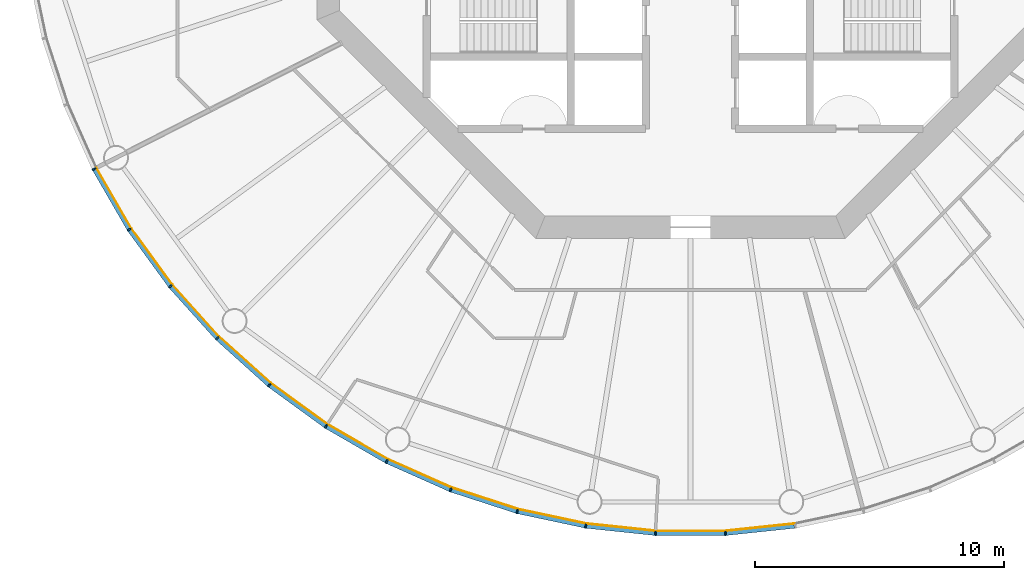
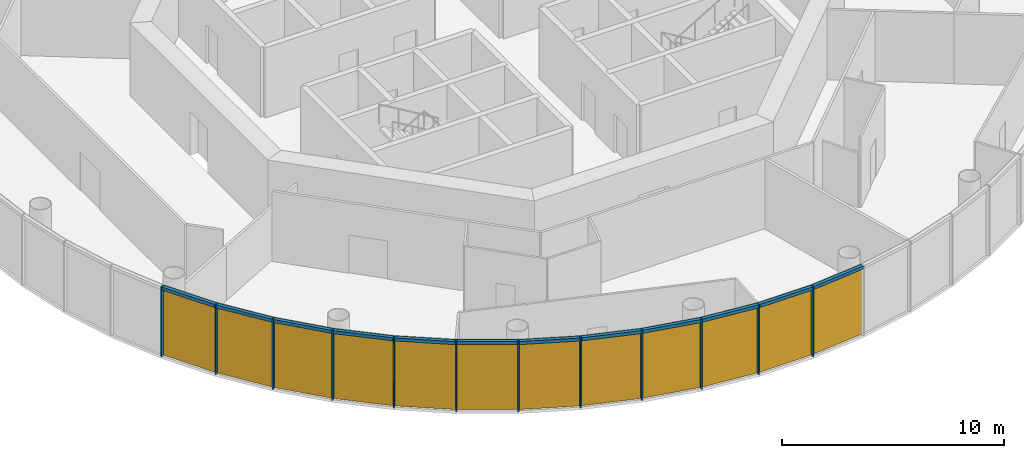
# One storey, part 6 of 12: 24 members, 4 curtain walls.
"""IFC4 building model written with IfcOpenShell, lengths in metres."""

from ifc_helpers import new_model, si_unit, direction, frame, origin, origin_2d, place, context, subcontext, project, spatial, polyline, rectangle, outline, extrude, material, layer, layer_set, material_profile, profile_set, type_object, element, aggregate, save


model = new_model("IFC4")

# Units and contexts
model_context = context("Model", 3, precision=1e-05, world=origin(), true_north=direction((0.0, 1.0)))
body_context = subcontext(model_context, "Body", "Model", "MODEL_VIEW")
ifc_project = project(units=[si_unit("LENGTHUNIT", "METRE"), si_unit("AREAUNIT", "SQUARE_METRE"), si_unit("VOLUMEUNIT", "CUBIC_METRE"), si_unit("PLANEANGLEUNIT", "RADIAN"), si_unit("MASSUNIT", "GRAM", prefix="KILO")], contexts=[model_context])

# Member
ifc_material_1 = material(Name="Anodised aluminium", Category="aluminium")
ifc_material_profile_1 = material_profile(ifc_material_1, rectangle(XDim=0.06005859375, YDim=0.169921875, at=origin_2d()), Name="Mullion 60 x 170 mm anodised aluminium")
ifc_profile_set_1 = profile_set([ifc_material_profile_1], Name="Anodised aluminium")
member_type_1 = type_object("IfcMemberType", Name="Mullion 60 x 170 mm anodised aluminium", PredefinedType="MULLION", material=ifc_profile_set_1)
site_placement = place(None, origin())
building_placement = place(site_placement, origin())
storey_placement = place(building_placement, frame((0.0, 0.0, 222.0)))
member_1_placement = place(storey_placement, frame((66.04541015625, 67.79443359375, 0.0), z_axis=(0.0, 0.0, 1.0), x_axis=(0.45399049974, -0.891006524188, 0.0)))
member_1 = element("IfcMember", 1, at=member_1_placement, type_object=member_type_1, Name="MULLION L51-33", PredefinedType="MULLION", context=body_context, shape_type="SweptSolid", body=[
    extrude(rectangle(XDim=0.06005859375, YDim=0.169921875, at=origin_2d()), origin(), (0.0, 0.0, 1.0), 3.85009765625),
])

member_2_placement = place(storey_placement, frame((67.452392578125, 65.357421875, 0.0), z_axis=(0.0, 0.0, 1.0), x_axis=(0.544639035015, -0.838670567945, 0.0)))
member_2 = element("IfcMember", 2, at=member_2_placement, type_object=member_type_1, Name="MULLION L51-34", PredefinedType="MULLION", context=body_context, shape_type="SweptSolid", body=[
    extrude(rectangle(XDim=0.06005859375, YDim=0.169921875, at=origin_2d()), origin(), (0.0, 0.0, 1.0), 3.85009765625),
])

member_3_placement = place(storey_placement, frame((69.1064453125, 63.080810546875, 0.0), z_axis=(0.0, 0.0, 1.0), x_axis=(0.62932039105, -0.777145961457, 0.0)))
member_3 = element("IfcMember", 3, at=member_3_placement, type_object=member_type_1, Name="MULLION L51-35", PredefinedType="MULLION", context=body_context, shape_type="SweptSolid", body=[
    extrude(rectangle(XDim=0.06005859375, YDim=0.169921875, at=origin_2d()), origin(), (0.0, 0.0, 1.0), 3.85009765625),
])

member_4_placement = place(storey_placement, frame((70.989501953125, 60.989501953125, 0.0), z_axis=(0.0, 0.0, 1.0), x_axis=(0.707106781187, -0.707106781187, 0.0)))
member_4 = element("IfcMember", 4, at=member_4_placement, type_object=member_type_1, Name="MULLION L51-36", PredefinedType="MULLION", context=body_context, shape_type="SweptSolid", body=[
    extrude(rectangle(XDim=0.06005859375, YDim=0.169921875, at=origin_2d()), origin(), (0.0, 0.0, 1.0), 3.85009765625),
])

member_5_placement = place(storey_placement, frame((73.080810546875, 59.1064453125, 0.0), z_axis=(0.0, 0.0, 1.0), x_axis=(0.777145961457, -0.62932039105, 0.0)))
member_5 = element("IfcMember", 5, at=member_5_placement, type_object=member_type_1, Name="MULLION L51-37", PredefinedType="MULLION", context=body_context, shape_type="SweptSolid", body=[
    extrude(rectangle(XDim=0.06005859375, YDim=0.169921875, at=origin_2d()), origin(), (0.0, 0.0, 1.0), 3.85009765625),
])

member_6_placement = place(storey_placement, frame((75.357421875, 57.452392578125, 0.0), z_axis=(0.0, 0.0, 1.0), x_axis=(0.838670567945, -0.544639035015, 0.0)))
member_6 = element("IfcMember", 6, at=member_6_placement, type_object=member_type_1, Name="MULLION L51-38", PredefinedType="MULLION", context=body_context, shape_type="SweptSolid", body=[
    extrude(rectangle(XDim=0.06005859375, YDim=0.169921875, at=origin_2d()), origin(), (0.0, 0.0, 1.0), 3.85009765625),
])

member_7_placement = place(storey_placement, frame((77.79443359375, 56.04541015625, 0.0), z_axis=(0.0, 0.0, 1.0), x_axis=(0.891006524188, -0.45399049974, 0.0)))
member_7 = element("IfcMember", 7, at=member_7_placement, type_object=member_type_1, Name="MULLION L51-39", PredefinedType="MULLION", context=body_context, shape_type="SweptSolid", body=[
    extrude(rectangle(XDim=0.06005859375, YDim=0.169921875, at=origin_2d()), origin(), (0.0, 0.0, 1.0), 3.85009765625),
])

member_8_placement = place(storey_placement, frame((80.365234375, 54.900634765625, 0.0), z_axis=(0.0, 0.0, 1.0), x_axis=(0.933580426497, -0.358367949545, 0.0)))
member_8 = element("IfcMember", 8, at=member_8_placement, type_object=member_type_1, Name="MULLION L51-40", PredefinedType="MULLION", context=body_context, shape_type="SweptSolid", body=[
    extrude(rectangle(XDim=0.06005859375, YDim=0.169921875, at=origin_2d()), origin(), (0.0, 0.0, 1.0), 3.85009765625),
])

member_9_placement = place(storey_placement, frame((83.041748046875, 54.031005859375, 0.0), z_axis=(0.0, 0.0, 1.0), x_axis=(0.965925826289, -0.258819045103, 0.0)))
member_9 = element("IfcMember", 9, at=member_9_placement, type_object=member_type_1, Name="MULLION L51-41", PredefinedType="MULLION", context=body_context, shape_type="SweptSolid", body=[
    extrude(rectangle(XDim=0.06005859375, YDim=0.169921875, at=origin_2d()), origin(), (0.0, 0.0, 1.0), 3.85009765625),
])

member_10_placement = place(storey_placement, frame((85.794189453125, 53.446044921875, 0.0), z_axis=(0.0, 0.0, 1.0), x_axis=(0.987688340595, -0.15643446504, 0.0)))
member_10 = element("IfcMember", 10, at=member_10_placement, type_object=member_type_1, Name="MULLION L51-42", PredefinedType="MULLION", context=body_context, shape_type="SweptSolid", body=[
    extrude(rectangle(XDim=0.06005859375, YDim=0.169921875, at=origin_2d()), origin(), (0.0, 0.0, 1.0), 3.85009765625),
])

member_11_placement = place(storey_placement, frame((88.593017578125, 53.15185546875, 0.0), z_axis=(0.0, 0.0, 1.0), x_axis=(0.998629534755, -0.052335956243, 0.0)))
member_11 = element("IfcMember", 11, at=member_11_placement, type_object=member_type_1, Name="MULLION L51-43", PredefinedType="MULLION", context=body_context, shape_type="SweptSolid", body=[
    extrude(rectangle(XDim=0.06005859375, YDim=0.169921875, at=origin_2d()), origin(), (0.0, 0.0, 1.0), 3.85009765625),
])

member_12_placement = place(storey_placement, frame((91.406982421875, 53.15185546875, 0.0), z_axis=(0.0, 0.0, 1.0), x_axis=(0.998629534755, 0.052335956243, 0.0)))
member_12 = element("IfcMember", 12, at=member_12_placement, type_object=member_type_1, Name="MULLION L51-44", PredefinedType="MULLION", context=body_context, shape_type="SweptSolid", body=[
    extrude(rectangle(XDim=0.06005859375, YDim=0.169921875, at=origin_2d()), origin(), (0.0, 0.0, 1.0), 3.85009765625),
])

ifc_material_2 = material(Name="Anodised aluminium", Category="aluminium")
ifc_material_profile_2 = material_profile(ifc_material_2, rectangle(XDim=0.169921875, YDim=0.1650390625, at=origin_2d()), Name="Transom 165 x 170 mm anodised aluminium")
ifc_profile_set_2 = profile_set([ifc_material_profile_2], Name="Anodised aluminium")
member_type_2 = type_object("IfcMemberType", Name="Transom 165 x 170 mm anodised aluminium", PredefinedType="USERDEFINED", material=ifc_profile_set_2)
member_13_placement = place(storey_placement, frame((66.0625, 67.7646484375, 3.767578125), z_axis=(0.49998419723, -0.866034527326, 0.0), x_axis=(0.866034527326, 0.49998419723, 0.0)))
member_13 = element("IfcMember", 13, at=member_13_placement, type_object=member_type_2, Name="TRANSOM L51-33", ObjectType="TRANSOM", PredefinedType="USERDEFINED", context=body_context, shape_type="SweptSolid", body=[
    extrude(rectangle(XDim=0.169921875, YDim=0.1650390625, at=origin_2d()), origin(), (0.0, 0.0, 1.0), 2.7451171875),
])

member_14_placement = place(storey_placement, frame((67.472412109375, 65.329345703125, 3.767578125), z_axis=(0.587864947412, -0.808959086484, 0.0), x_axis=(0.808959086484, 0.587864947412, 0.0)))
member_14 = element("IfcMember", 14, at=member_14_placement, type_object=member_type_2, Name="TRANSOM L51-34", ObjectType="TRANSOM", PredefinedType="USERDEFINED", context=body_context, shape_type="SweptSolid", body=[
    extrude(rectangle(XDim=0.169921875, YDim=0.1650390625, at=origin_2d()), origin(), (0.0, 0.0, 1.0), 2.7451171875),
])

member_15_placement = place(storey_placement, frame((69.12939453125, 63.054931640625, 3.767578125), z_axis=(0.669141598561, -0.743134927907, 0.0), x_axis=(0.743134927907, 0.669141598561, 0.0)))
member_15 = element("IfcMember", 15, at=member_15_placement, type_object=member_type_2, Name="TRANSOM L51-35", ObjectType="TRANSOM", PredefinedType="USERDEFINED", context=body_context, shape_type="SweptSolid", body=[
    extrude(rectangle(XDim=0.169921875, YDim=0.1650390625, at=origin_2d()), origin(), (0.0, 0.0, 1.0), 2.7451171875),
])

member_16_placement = place(storey_placement, frame((71.014892578125, 60.96630859375, 3.767578125), z_axis=(0.743134927907, -0.669141598561, 0.0), x_axis=(0.669141598561, 0.743134927907, 0.0)))
member_16 = element("IfcMember", 16, at=member_16_placement, type_object=member_type_2, Name="TRANSOM L51-36", ObjectType="TRANSOM", PredefinedType="USERDEFINED", context=body_context, shape_type="SweptSolid", body=[
    extrude(rectangle(XDim=0.169921875, YDim=0.1650390625, at=origin_2d()), origin(), (0.0, 0.0, 1.0), 2.7451171875),
])

member_17_placement = place(storey_placement, frame((73.108642578125, 59.086181640625, 3.767578125), z_axis=(0.808959086484, -0.587864947412, 0.0), x_axis=(0.587864947412, 0.808959086484, 0.0)))
member_17 = element("IfcMember", 17, at=member_17_placement, type_object=member_type_2, Name="TRANSOM L51-37", ObjectType="TRANSOM", PredefinedType="USERDEFINED", context=body_context, shape_type="SweptSolid", body=[
    extrude(rectangle(XDim=0.169921875, YDim=0.1650390625, at=origin_2d()), origin(), (0.0, 0.0, 1.0), 2.7451171875),
])

member_18_placement = place(storey_placement, frame((75.38720703125, 57.43505859375, 3.767578125), z_axis=(0.866034527326, -0.49998419723, 0.0), x_axis=(0.49998419723, 0.866034527326, 0.0)))
member_18 = element("IfcMember", 18, at=member_18_placement, type_object=member_type_2, Name="TRANSOM L51-38", ObjectType="TRANSOM", PredefinedType="USERDEFINED", context=body_context, shape_type="SweptSolid", body=[
    extrude(rectangle(XDim=0.169921875, YDim=0.1650390625, at=origin_2d()), origin(), (0.0, 0.0, 1.0), 2.7451171875),
])

member_19_placement = place(storey_placement, frame((77.825927734375, 56.03125, 3.767578125), z_axis=(0.913525267704, -0.406781987391, 0.0), x_axis=(0.406781987391, 0.913525267704, 0.0)))
member_19 = element("IfcMember", 19, at=member_19_placement, type_object=member_type_2, Name="TRANSOM L51-39", ObjectType="TRANSOM", PredefinedType="USERDEFINED", context=body_context, shape_type="SweptSolid", body=[
    extrude(rectangle(XDim=0.169921875, YDim=0.1650390625, at=origin_2d()), origin(), (0.0, 0.0, 1.0), 2.7451171875),
])

member_20_placement = place(storey_placement, frame((80.39794921875, 54.889892578125, 3.767578125), z_axis=(0.951048445774, -0.309041831781, 0.0), x_axis=(0.309041831781, 0.951048445774, 0.0)))
member_20 = element("IfcMember", 20, at=member_20_placement, type_object=member_type_2, Name="TRANSOM L51-40", ObjectType="TRANSOM", PredefinedType="USERDEFINED", context=body_context, shape_type="SweptSolid", body=[
    extrude(rectangle(XDim=0.169921875, YDim=0.1650390625, at=origin_2d()), origin(), (0.0, 0.0, 1.0), 2.7451171875),
])

member_21_placement = place(storey_placement, frame((83.075439453125, 54.02392578125, 3.767578125), z_axis=(0.97814212115, -0.207937468562, 0.0), x_axis=(0.207937468562, 0.97814212115, 0.0)))
member_21 = element("IfcMember", 21, at=member_21_placement, type_object=member_type_2, Name="TRANSOM L51-41", ObjectType="TRANSOM", PredefinedType="USERDEFINED", context=body_context, shape_type="SweptSolid", body=[
    extrude(rectangle(XDim=0.169921875, YDim=0.1650390625, at=origin_2d()), origin(), (0.0, 0.0, 1.0), 2.7451171875),
])

member_22_placement = place(storey_placement, frame((85.82861328125, 53.4423828125, 3.767578125), z_axis=(0.994515195344, -0.104592190102, 0.0), x_axis=(0.104592190102, 0.994515195344, 0.0)))
member_22 = element("IfcMember", 22, at=member_22_placement, type_object=member_type_2, Name="TRANSOM L51-42", ObjectType="TRANSOM", PredefinedType="USERDEFINED", context=body_context, shape_type="SweptSolid", body=[
    extrude(rectangle(XDim=0.169921875, YDim=0.1650390625, at=origin_2d()), origin(), (0.0, 0.0, 1.0), 2.7451171875),
])

member_23_placement = place(storey_placement, frame((88.62744140625, 53.151611328125, 3.767578125), z_axis=(1.0, 0.0, 0.0), x_axis=(0.0, 1.0, 0.0)))
member_23 = element("IfcMember", 23, at=member_23_placement, type_object=member_type_2, Name="TRANSOM L51-43", ObjectType="TRANSOM", PredefinedType="USERDEFINED", context=body_context, shape_type="SweptSolid", body=[
    extrude(rectangle(XDim=0.169921875, YDim=0.1650390625, at=origin_2d()), origin(), (0.0, 0.0, 1.0), 2.7451171875),
])

member_24_placement = place(storey_placement, frame((91.44140625, 53.1552734375, 3.767578125), z_axis=(0.994515195344, 0.104592190102, 0.0), x_axis=(-0.104592190102, 0.994515195344, 0.0)))
member_24 = element("IfcMember", 24, at=member_24_placement, type_object=member_type_2, Name="TRANSOM L51-44", ObjectType="TRANSOM", PredefinedType="USERDEFINED", context=body_context, shape_type="SweptSolid", body=[
    extrude(rectangle(XDim=0.169921875, YDim=0.1650390625, at=origin_2d()), origin(), (0.0, 0.0, 1.0), 2.7451171875),
])

# Site, building, storey
site = spatial("IfcSite", under=ifc_project, at=site_placement, CompositionType="ELEMENT")
building = spatial("IfcBuilding", under=site, at=building_placement, Name="Entoto Ring Tower", CompositionType="ELEMENT")
storey = spatial("IfcBuildingStorey", under=building, at=storey_placement, Name="L51", CompositionType="ELEMENT", Elevation=222.0)

# Curtain wall
ifc_material_3 = material(Name="Clear low-iron glass", Category="glass")
ifc_layer = layer(ifc_material_3, 0.031982421875)
ifc_layer_set = layer_set([ifc_layer], Name="Clear low-iron glass")
curtain_wall_type = type_object("IfcCurtainWallType", Name="Curtain wall system CW4 glazing 32 mm", PredefinedType="NOTDEFINED", material=ifc_layer_set)
curtain_wall_1_placement = place(storey_placement, origin())
curtain_wall_1 = element("IfcCurtainWall", 25, at=curtain_wall_1_placement, inside=storey, type_object=curtain_wall_type, Name="CW4 L51-12", PredefinedType="NOTDEFINED", context=body_context, shape_type="SweptSolid", body=[
    extrude(outline(polyline([(66.12109375, 67.8330078125), (67.523681640625, 65.403564453125), (69.172607421875, 63.13427734375), (71.049560546875, 61.049560546875), (71.072265625, 61.072265625), (69.197509765625, 63.154296875), (67.550537109375, 65.421142578125), (66.149658203125, 67.84765625), (66.12109375, 67.8330078125)])), origin(), (0.0, 0.0, 1.0), 3.85009765625),
])

aggregate(curtain_wall_1, [member_1, member_2, member_3, member_13, member_14, member_15])

curtain_wall_2_placement = place(storey_placement, origin())
curtain_wall_2 = element("IfcCurtainWall", 26, at=curtain_wall_2_placement, inside=storey, type_object=curtain_wall_type, Name="CW4 L51-13", PredefinedType="NOTDEFINED", context=body_context, shape_type="SweptSolid", body=[
    extrude(outline(polyline([(71.049560546875, 61.049560546875), (73.13427734375, 59.172607421875), (75.403564453125, 57.523681640625), (77.8330078125, 56.12109375), (77.84765625, 56.149658203125), (75.421142578125, 57.550537109375), (73.154296875, 59.197509765625), (71.072265625, 61.072265625), (71.049560546875, 61.049560546875)])), origin(), (0.0, 0.0, 1.0), 3.85009765625),
])

aggregate(curtain_wall_2, [member_4, member_5, member_6, member_16, member_17, member_18])

curtain_wall_3_placement = place(storey_placement, origin())
curtain_wall_3 = element("IfcCurtainWall", 27, at=curtain_wall_3_placement, inside=storey, type_object=curtain_wall_type, Name="CW4 L51-14", PredefinedType="NOTDEFINED", context=body_context, shape_type="SweptSolid", body=[
    extrude(outline(polyline([(77.8330078125, 56.12109375), (80.395751953125, 54.97998046875), (83.063720703125, 54.11328125), (85.8076171875, 53.530029296875), (85.8125, 53.5615234375), (83.072021484375, 54.14404296875), (80.4072265625, 55.010009765625), (77.84765625, 56.149658203125), (77.8330078125, 56.12109375)])), origin(), (0.0, 0.0, 1.0), 3.85009765625),
])

aggregate(curtain_wall_3, [member_7, member_8, member_9, member_19, member_20, member_21])

curtain_wall_4_placement = place(storey_placement, origin())
curtain_wall_4 = element("IfcCurtainWall", 28, at=curtain_wall_4_placement, inside=storey, type_object=curtain_wall_type, Name="CW4 L51-15", PredefinedType="NOTDEFINED", context=body_context, shape_type="SweptSolid", body=[
    extrude(outline(polyline([(85.8076171875, 53.530029296875), (88.597412109375, 53.23681640625), (91.402587890625, 53.23681640625), (94.1923828125, 53.530029296875), (94.1875, 53.5615234375), (91.40087890625, 53.268798828125), (88.59912109375, 53.268798828125), (85.8125, 53.5615234375), (85.8076171875, 53.530029296875)])), origin(), (0.0, 0.0, 1.0), 3.85009765625),
])

aggregate(curtain_wall_4, [member_10, member_11, member_12, member_22, member_23, member_24])

save(model, "model.ifc")
